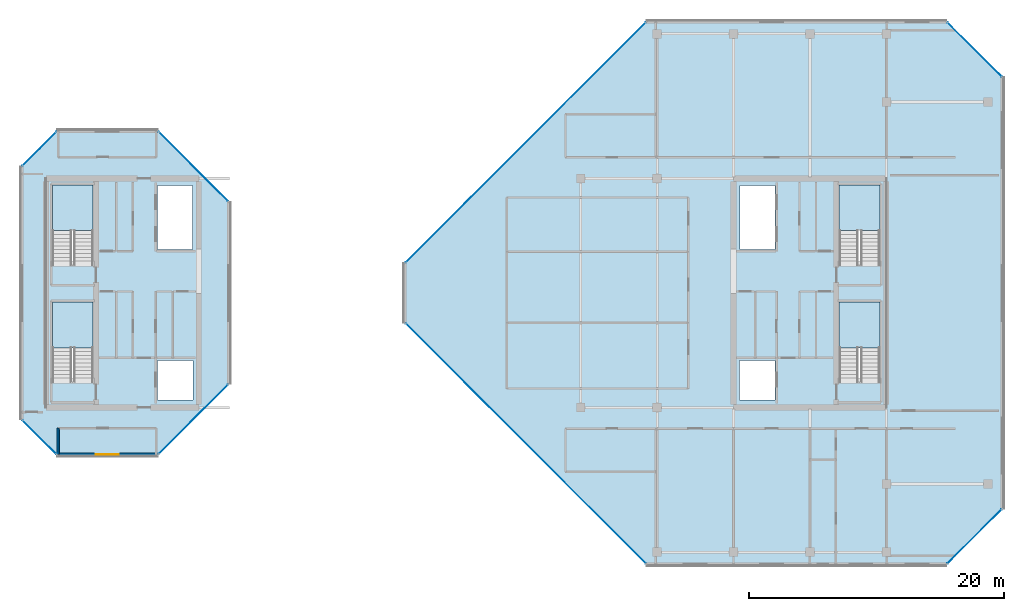
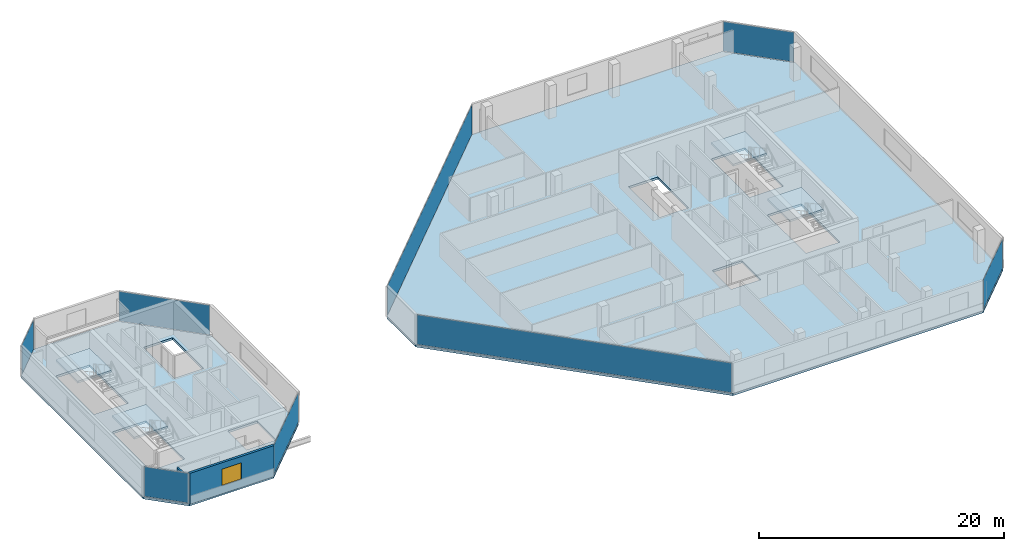
# One storey, part 20 of 29: 8 plates, 6 slabs, 2 walls, 1 window, 1 opening, 12 elements without a shape of their own.
"""IFC4 building model written with IfcOpenShell, lengths in metres."""

from ifc_helpers import new_model, si_unit, direction, frame, frame_2d, origin, origin_2d, place, context, subcontext, project, spatial, polyline, rectangle, outline, extrude, material, layer, layer_set, type_object, element, fill, aggregate, save


model = new_model("IFC4")

# Units and contexts
model_context = context("Model", 3, precision=1e-05, world=origin(), true_north=direction((0.0, 1.0)))
body_context = subcontext(model_context, "Body", "Model", "MODEL_VIEW")
ifc_project = project(units=[si_unit("LENGTHUNIT", "METRE"), si_unit("AREAUNIT", "SQUARE_METRE"), si_unit("VOLUMEUNIT", "CUBIC_METRE"), si_unit("PLANEANGLEUNIT", "RADIAN"), si_unit("MASSUNIT", "GRAM", prefix="KILO")], contexts=[model_context])

# Site, building, storey
site_placement = place(None, origin())
site = spatial("IfcSite", under=ifc_project, at=site_placement, CompositionType="ELEMENT")
building_placement = place(site_placement, origin())
building = spatial("IfcBuilding", under=site, at=building_placement, Name="Tanjung Sevakor Pilgrim Tower", CompositionType="ELEMENT")
storey_placement = place(building_placement, frame((0.0, 0.0, 235.949951171875)))
storey = spatial("IfcBuildingStorey", under=building, at=storey_placement, Name="L66", CompositionType="ELEMENT", Elevation=235.949951171875)

# Stair, slab
ifc_material_1 = material(Name="Concrete C40/50", Category="concrete")
stair_type = type_object("IfcStairType", Name="STAIR-ST-CR150", PredefinedType="HALF_TURN_STAIR", material=ifc_material_1)
stair_1_placement = place(storey_placement, origin())
stair_1 = element("IfcStair", 1, at=stair_1_placement, inside=storey, type_object=stair_type, Name="L66 West Core Exit Stair 1", PredefinedType="HALF_TURN_STAIR")
ifc_material_2 = material(Name="Concrete C40/50", Category="concrete")
ifc_layer_1 = layer(ifc_material_2, 0.199951171875)
ifc_layer_set_1 = layer_set([ifc_layer_1], Name="SL-LAND-200")
slab_type_1 = type_object("IfcSlabType", Name="SL-LAND-200", PredefinedType="LANDING", material=ifc_layer_set_1)
slab_1_placement = place(storey_placement, frame((0.0, 0.0, 1.449951171875)))
slab_1 = element("IfcSlab", 2, at=slab_1_placement, type_object=slab_type_1, Name="TS-W1 landing 1", PredefinedType="LANDING", context=body_context, shape_type="SweptSolid", body=[
    extrude(outline(polyline([(27.699951171875, 29.300048828125), (27.699951171875, 32.89990234375), (24.5, 32.89990234375), (24.5, 29.300048828125), (27.699951171875, 29.300048828125)])), origin(), (0.0, 0.0, 1.0), 0.2001953125),
])
aggregate(stair_1, [slab_1])

stair_2_placement = place(storey_placement, origin())
stair_2 = element("IfcStair", 3, at=stair_2_placement, inside=storey, type_object=stair_type, Name="L66 West Core Exit Stair 2", PredefinedType="HALF_TURN_STAIR")
slab_2_placement = place(storey_placement, frame((0.0, 0.0, 1.449951171875)))
slab_2 = element("IfcSlab", 4, at=slab_2_placement, type_object=slab_type_1, Name="TS-W2 landing 1", PredefinedType="LANDING", context=body_context, shape_type="SweptSolid", body=[
    extrude(outline(polyline([(27.699951171875, 38.5), (27.699951171875, 42.10009765625), (24.5, 42.10009765625), (24.5, 38.5), (27.699951171875, 38.5)])), origin(), (0.0, 0.0, 1.0), 0.2001953125),
])
aggregate(stair_2, [slab_2])

stair_3_placement = place(storey_placement, origin())
stair_3 = element("IfcStair", 5, at=stair_3_placement, inside=storey, type_object=stair_type, Name="L66 East Core Exit Stair 1", PredefinedType="HALF_TURN_STAIR")
slab_3_placement = place(storey_placement, frame((0.0, 0.0, 1.449951171875)))
slab_3 = element("IfcSlab", 6, at=slab_3_placement, type_object=slab_type_1, Name="TS-E1 landing 1", PredefinedType="LANDING", context=body_context, shape_type="SweptSolid", body=[
    extrude(outline(polyline([(89.5, 29.300048828125), (89.5, 32.89990234375), (86.300048828125, 32.89990234375), (86.300048828125, 29.300048828125), (89.5, 29.300048828125)])), origin(), (0.0, 0.0, 1.0), 0.2001953125),
])
aggregate(stair_3, [slab_3])

stair_4_placement = place(storey_placement, origin())
stair_4 = element("IfcStair", 7, at=stair_4_placement, inside=storey, type_object=stair_type, Name="L66 East Core Exit Stair 2", PredefinedType="HALF_TURN_STAIR")
slab_4_placement = place(storey_placement, frame((0.0, 0.0, 1.449951171875)))
slab_4 = element("IfcSlab", 8, at=slab_4_placement, type_object=slab_type_1, Name="TS-E2 landing 1", PredefinedType="LANDING", context=body_context, shape_type="SweptSolid", body=[
    extrude(outline(polyline([(89.5, 38.5), (89.5, 42.10009765625), (86.300048828125, 42.10009765625), (86.300048828125, 38.5), (89.5, 38.5)])), origin(), (0.0, 0.0, 1.0), 0.2001953125),
])
aggregate(stair_4, [slab_4])

# Slabs
ifc_material_3 = material(Name="Concrete C40/50", Category="concrete")
ifc_layer_2 = layer(ifc_material_3, 0.219970703125)
ifc_layer_set_2 = layer_set([ifc_layer_2], Name="SL-TWR-220")
slab_type_2 = type_object("IfcSlabType", Name="SL-TWR-220", PredefinedType="FLOOR", material=ifc_layer_set_2)
slab_5_placement = place(storey_placement, frame((0.0, 0.0, -0.219970703125)))
element("IfcSlab", 9, at=slab_5_placement, inside=storey, type_object=slab_type_2, Name="L66 Floor Slab WEST", PredefinedType="FLOOR", context=body_context, shape_type="SweptSolid", body=[
    extrude(outline(polyline([(24.846923828125, 20.8798828125), (32.802978515625, 20.8798828125), (38.3701171875, 26.447021484375), (38.3701171875, 40.753173828125), (32.802978515625, 46.320068359375), (24.846923828125, 46.320068359375), (22.080078125, 43.552978515625), (22.080078125, 23.64697265625), (24.846923828125, 20.8798828125)]), holes=[polyline([(27.699951171875, 26.60009765625), (27.699951171875, 32.89990234375), (24.5, 32.89990234375), (24.5, 26.60009765625), (27.699951171875, 26.60009765625)]), polyline([(27.699951171875, 35.800048828125), (27.699951171875, 42.10009765625), (24.5, 42.10009765625), (24.5, 35.800048828125), (27.699951171875, 35.800048828125)]), polyline([(32.75, 25.199951171875), (35.550048828125, 25.199951171875), (35.550048828125, 28.300048828125), (32.75, 28.300048828125), (32.75, 25.199951171875)]), polyline([(32.75, 37.0), (35.5, 37.0), (35.5, 42.050048828125), (32.75, 42.050048828125), (32.75, 37.0)])]), origin(), (0.0, 0.0, 1.0), 0.219970703125),
])
slab_6_placement = place(storey_placement, frame((0.0, 0.0, -0.219970703125)))
element("IfcSlab", 10, at=slab_6_placement, inside=storey, type_object=slab_type_2, Name="L66 Floor Slab EAST", PredefinedType="FLOOR", context=body_context, shape_type="SweptSolid", body=[
    extrude(outline(polyline([(71.14697265625, 12.280029296875), (94.753173828125, 12.280029296875), (99.1201171875, 16.64697265625), (99.1201171875, 50.552978515625), (94.753173828125, 54.919921875), (71.14697265625, 54.919921875), (52.179931640625, 35.953125), (52.179931640625, 31.246826171875), (71.14697265625, 12.280029296875)]), holes=[polyline([(89.5, 26.60009765625), (89.5, 32.89990234375), (86.300048828125, 32.89990234375), (86.300048828125, 26.60009765625), (89.5, 26.60009765625)]), polyline([(89.5, 35.800048828125), (89.5, 42.10009765625), (86.300048828125, 42.10009765625), (86.300048828125, 35.800048828125), (89.5, 35.800048828125)]), polyline([(78.449951171875, 25.199951171875), (81.25, 25.199951171875), (81.25, 28.300048828125), (78.449951171875, 28.300048828125), (78.449951171875, 25.199951171875)]), polyline([(78.5, 37.0), (81.25, 37.0), (81.25, 42.050048828125), (78.5, 42.050048828125), (78.5, 37.0)])]), origin(), (0.0, 0.0, 1.0), 0.219970703125),
])

# Curtain wall, plate
ifc_material_4 = material(Name="Aluminium 6063-T6 and Low-E Glass", Category="aluminium")
ifc_layer_3 = layer(ifc_material_4, 0.179931640625)
ifc_layer_set_3 = layer_set([ifc_layer_3], Name="CW-SYS-CHAM")
curtain_wall_type = type_object("IfcCurtainWallType", Name="CW-SYS-CHAM", PredefinedType="NOTDEFINED", material=ifc_layer_set_3)
curtain_wall_1_placement = place(storey_placement, origin())
curtain_wall_1 = element("IfcCurtainWall", 11, at=curtain_wall_1_placement, inside=storey, type_object=curtain_wall_type, Name="L66 Curtain Wall CW-CHM-L66-WEST-1", PredefinedType="NOTDEFINED")
ifc_material_5 = material(Name="Laminated Low-E Double Glazing", Category="glass")
ifc_layer_4 = layer(ifc_material_5, 0.028076171875)
ifc_layer_set_4 = layer_set([ifc_layer_4], Name="TYPE-CWP-GLZ1")
plate_type = type_object("IfcPlateType", Name="TYPE-CWP-GLZ1", PredefinedType="CURTAIN_PANEL", material=ifc_layer_set_4)
plate_1_placement = place(storey_placement, frame((35.572265625, 23.677734375, 0.06494140625), z_axis=(0.0, 0.0, 1.0), x_axis=(0.707106781187, 0.707106781187, 0.0)))
plate_1 = element("IfcPlate", 12, at=plate_1_placement, type_object=plate_type, Name="CW-CHM panel 1.1", PredefinedType="CURTAIN_PANEL", context=body_context, shape_type="SweptSolid", body=[
    extrude(rectangle(XDim=7.698486328125, YDim=0.028076171875, at=origin_2d()), origin(), (0.0, 0.0, 1.0), 2.949951171875),
])
aggregate(curtain_wall_1, [plate_1])

curtain_wall_2_placement = place(storey_placement, origin())
curtain_wall_2 = element("IfcCurtainWall", 13, at=curtain_wall_2_placement, inside=storey, type_object=curtain_wall_type, Name="L66 Curtain Wall CW-CHM-L66-WEST-3", PredefinedType="NOTDEFINED")
plate_2_placement = place(storey_placement, frame((35.572265625, 43.522216796875, 0.06494140625), z_axis=(0.0, 0.0, 1.0), x_axis=(-0.707106781187, 0.707106781187, 0.0)))
plate_2 = element("IfcPlate", 14, at=plate_2_placement, type_object=plate_type, Name="CW-CHM panel 1.1", PredefinedType="CURTAIN_PANEL", context=body_context, shape_type="SweptSolid", body=[
    extrude(rectangle(XDim=7.698486328125, YDim=0.028076171875, at=origin_2d()), origin(), (0.0, 0.0, 1.0), 2.949951171875),
])
aggregate(curtain_wall_2, [plate_2])

curtain_wall_3_placement = place(storey_placement, origin())
curtain_wall_3 = element("IfcCurtainWall", 15, at=curtain_wall_3_placement, inside=storey, type_object=curtain_wall_type, Name="L66 Curtain Wall CW-CHM-L66-WEST-5", PredefinedType="NOTDEFINED")
plate_3_placement = place(storey_placement, frame((23.477783203125, 44.922119140625, 0.06494140625), z_axis=(0.0, 0.0, 1.0), x_axis=(-0.707106781187, -0.707106781187, 0.0)))
plate_3 = element("IfcPlate", 16, at=plate_3_placement, type_object=plate_type, Name="CW-CHM panel 1.1", PredefinedType="CURTAIN_PANEL", context=body_context, shape_type="SweptSolid", body=[
    extrude(rectangle(XDim=3.73876953125, YDim=0.028076171875, at=origin_2d()), origin(), (0.0, 0.0, 1.0), 2.949951171875),
])
aggregate(curtain_wall_3, [plate_3])

curtain_wall_4_placement = place(storey_placement, origin())
curtain_wall_4 = element("IfcCurtainWall", 17, at=curtain_wall_4_placement, inside=storey, type_object=curtain_wall_type, Name="L66 Curtain Wall CW-CHM-L66-WEST-7", PredefinedType="NOTDEFINED")
plate_4_placement = place(storey_placement, frame((23.477783203125, 22.27783203125, 0.06494140625), z_axis=(0.0, 0.0, 1.0), x_axis=(0.707106781187, -0.707106781187, 0.0)))
plate_4 = element("IfcPlate", 18, at=plate_4_placement, type_object=plate_type, Name="CW-CHM panel 1.1", PredefinedType="CURTAIN_PANEL", context=body_context, shape_type="SweptSolid", body=[
    extrude(rectangle(XDim=3.73876953125, YDim=0.028076171875, at=origin_2d()), origin(), (0.0, 0.0, 1.0), 2.949951171875),
])
aggregate(curtain_wall_4, [plate_4])

curtain_wall_5_placement = place(storey_placement, origin())
curtain_wall_5 = element("IfcCurtainWall", 19, at=curtain_wall_5_placement, inside=storey, type_object=curtain_wall_type, Name="L66 Curtain Wall CW-CHM-L66-EAST-1", PredefinedType="NOTDEFINED")
plate_5_placement = place(storey_placement, frame((96.922119140625, 14.477783203125, 0.06494140625), z_axis=(0.0, 0.0, 1.0), x_axis=(0.707106781187, 0.707106781187, 0.0)))
plate_5 = element("IfcPlate", 20, at=plate_5_placement, type_object=plate_type, Name="CW-CHM panel 1.1", PredefinedType="CURTAIN_PANEL", context=body_context, shape_type="SweptSolid", body=[
    extrude(rectangle(XDim=6.00146484375, YDim=0.028076171875, at=origin_2d()), origin(), (0.0, 0.0, 1.0), 2.949951171875),
])
aggregate(curtain_wall_5, [plate_5])

curtain_wall_6_placement = place(storey_placement, origin())
curtain_wall_6 = element("IfcCurtainWall", 21, at=curtain_wall_6_placement, inside=storey, type_object=curtain_wall_type, Name="L66 Curtain Wall CW-CHM-L66-EAST-3", PredefinedType="NOTDEFINED")
plate_6_placement = place(storey_placement, frame((96.922119140625, 52.72216796875, 0.06494140625), z_axis=(0.0, 0.0, 1.0), x_axis=(-0.707106781187, 0.707106781187, 0.0)))
plate_6 = element("IfcPlate", 22, at=plate_6_placement, type_object=plate_type, Name="CW-CHM panel 1.1", PredefinedType="CURTAIN_PANEL", context=body_context, shape_type="SweptSolid", body=[
    extrude(rectangle(XDim=6.00146484375, YDim=0.028076171875, at=origin_2d()), origin(), (0.0, 0.0, 1.0), 2.949951171875),
])
aggregate(curtain_wall_6, [plate_6])

curtain_wall_7_placement = place(storey_placement, origin())
curtain_wall_7 = element("IfcCurtainWall", 23, at=curtain_wall_7_placement, inside=storey, type_object=curtain_wall_type, Name="L66 Curtain Wall CW-CHM-L66-EAST-5", PredefinedType="NOTDEFINED")
plate_7_placement = place(storey_placement, frame((61.677734375, 45.422119140625, 0.06494140625), z_axis=(0.0, 0.0, 1.0), x_axis=(-0.707106781187, -0.707106781187, 0.0)))
plate_7 = element("IfcPlate", 24, at=plate_7_placement, type_object=plate_type, Name="CW-CHM panel 1.1", PredefinedType="CURTAIN_PANEL", context=body_context, shape_type="SweptSolid", body=[
    extrude(rectangle(XDim=26.64892578125, YDim=0.028076171875, at=origin_2d()), origin(), (0.0, 0.0, 1.0), 2.949951171875),
])
aggregate(curtain_wall_7, [plate_7])

curtain_wall_8_placement = place(storey_placement, origin())
curtain_wall_8 = element("IfcCurtainWall", 25, at=curtain_wall_8_placement, inside=storey, type_object=curtain_wall_type, Name="L66 Curtain Wall CW-CHM-L66-EAST-7", PredefinedType="NOTDEFINED")
plate_8_placement = place(storey_placement, frame((61.677734375, 21.77783203125, 0.06494140625), z_axis=(0.0, 0.0, 1.0), x_axis=(0.707106781187, -0.707106781187, 0.0)))
plate_8 = element("IfcPlate", 26, at=plate_8_placement, type_object=plate_type, Name="CW-CHM panel 1.1", PredefinedType="CURTAIN_PANEL", context=body_context, shape_type="SweptSolid", body=[
    extrude(rectangle(XDim=26.64892578125, YDim=0.028076171875, at=origin_2d()), origin(), (0.0, 0.0, 1.0), 2.949951171875),
])
aggregate(curtain_wall_8, [plate_8])

# Wall
ifc_material_6 = material(Name="Concrete C40/50", Category="concrete")
ifc_layer_5 = layer(ifc_material_6, 0.14990234375)
ifc_layer_set_5 = layer_set([ifc_layer_5], Name="WT-COMP-150")
wall_type_1 = type_object("IfcWallType", Name="WT-COMP-150", PredefinedType="SOLIDWALL", material=ifc_layer_set_5)
wall_1_placement = place(storey_placement, frame((24.949951171875, 20.919921875, 0.0), z_axis=(0.0, 0.0, 1.0), x_axis=(0.0, 1.0, 0.0)))
element("IfcWall", 27, at=wall_1_placement, inside=storey, type_object=wall_type_1, Name="L66 Partition IW-L66-034", PredefinedType="SOLIDWALL", context=body_context, shape_type="SweptSolid", body=[
    extrude(rectangle(XDim=2.06005859375, YDim=0.14990234375, at=frame_2d((1.030029296875, 0.0))), origin(), (0.0, 0.0, 1.0), 2.35009765625),
])

# Wall, opening, window
ifc_material_7 = material(Name="Precast concrete C45/55", Category="concrete")
ifc_layer_6 = layer(ifc_material_7, 0.219970703125)
ifc_layer_set_6 = layer_set([ifc_layer_6], Name="WT-EW-STN4")
wall_type_2 = type_object("IfcWallType", Name="WT-EW-STN4", PredefinedType="SOLIDWALL", material=ifc_layer_set_6)
wall_2_placement = place(storey_placement, frame((24.845703125, 20.909912109375, 0.0), z_axis=(0.0, 0.0, 1.0), x_axis=(1.0, 0.0, 0.0)))
wall_2 = element("IfcWall", 28, at=wall_2_placement, inside=storey, type_object=wall_type_2, Name="L66 WEST Exterior Wall 1", PredefinedType="SOLIDWALL", context=body_context, shape_type="SweptSolid", body=[
    extrude(rectangle(XDim=7.958740234375, YDim=0.219970703125, at=frame_2d((3.9794921875, 0.0))), origin(), (0.0, 0.0, 1.0), 3.080078125),
])
opening_placement = place(wall_2_placement, frame((3.054443359375, 0.0, 0.780029296875)))
opening = element("IfcOpeningElement", 29, at=opening_placement, cuts=wall_2, Name="Opening WN-Z3-1660", PredefinedType="OPENING", context=body_context, shape_type="SweptSolid", body=[
    extrude(rectangle(XDim=1.800048828125, YDim=1.659912109375, at=frame_2d((0.89990234375, 0.830078125))), frame((0.0, 0.119873046875, 0.0), z_axis=(0.0, -1.0, 0.0), x_axis=(1.0, 0.0, 0.0)), (0.0, 0.0, 1.0), 0.239990234375),
])
ifc_material_8 = material(Name="Thermally Broken Aluminium and Low-E Glass", Category="aluminium")
window_type = type_object("IfcWindowType", Name="WTYP-WN-Z3-1660", PartitioningType="DOUBLE_PANEL_VERTICAL", PredefinedType="WINDOW", material=ifc_material_8)
window_placement = place(opening_placement, origin())
window = element("IfcWindow", 30, at=window_placement, inside=storey, type_object=window_type, Name="L66 Facade Window 01", OverallHeight=1.659912109375, OverallWidth=1.800048828125, PartitioningType="SINGLE_PANEL", PredefinedType="WINDOW", context=body_context, shape_type="SweptSolid", body=[
    extrude(rectangle(XDim=1.800048828125, YDim=1.659912109375, at=frame_2d((0.89990234375, 0.830078125))), frame((0.0, 0.030029296875, 0.0), z_axis=(0.0, -1.0, 0.0), x_axis=(1.0, 0.0, 0.0)), (0.0, 0.0, 1.0), 0.06005859375),
])
fill(opening, window)

save(model, "model.ifc")
